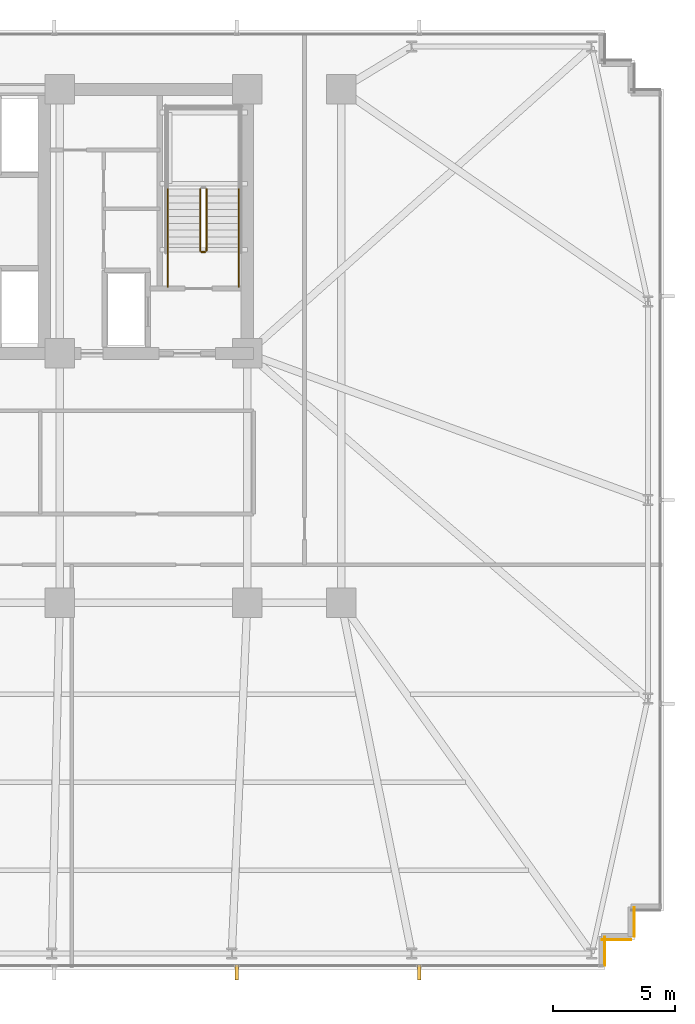
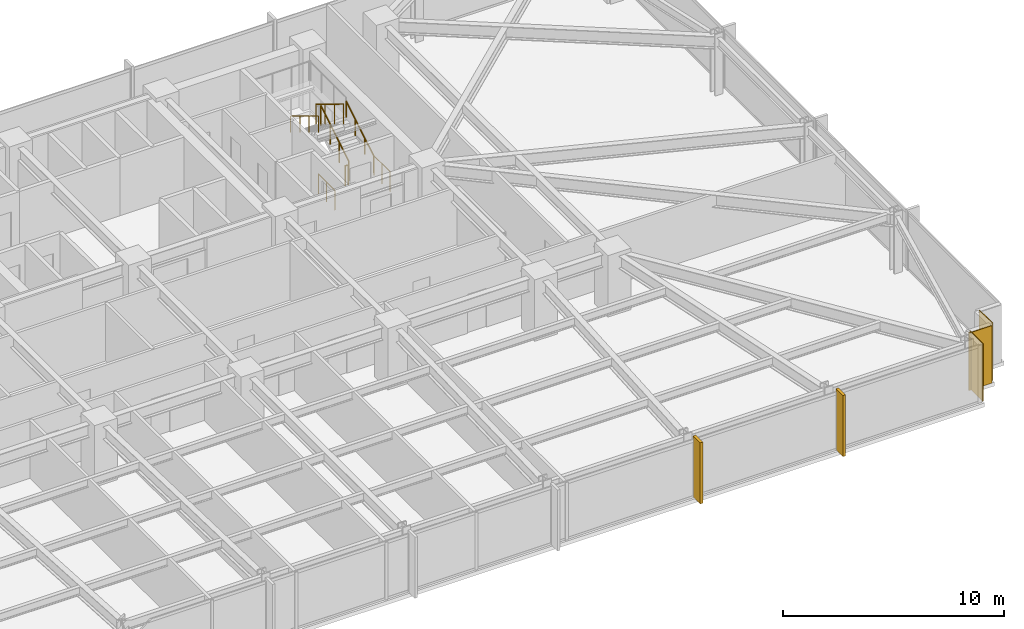
# One storey, part 29 of 32: 7 railings, 3 coverings, 2 shading devices.
"""IFC4 building model written with IfcOpenShell, lengths in metres."""

from ifc_helpers import new_model, si_unit, direction, frame, frame_2d, origin, origin_2d, place, context, subcontext, project, spatial, rectangle, circle, extrude, material, layer, layer_set, type_object, element, save


model = new_model("IFC4")

# Units and contexts
model_context = context("Model", 3, precision=1e-05, world=origin(), true_north=direction((0.0, 1.0)))
body_context = subcontext(model_context, "Body", "Model", "MODEL_VIEW")
ifc_project = project(units=[si_unit("LENGTHUNIT", "METRE"), si_unit("AREAUNIT", "SQUARE_METRE"), si_unit("VOLUMEUNIT", "CUBIC_METRE"), si_unit("PLANEANGLEUNIT", "RADIAN"), si_unit("MASSUNIT", "GRAM", prefix="KILO")], contexts=[model_context])

# Site, building, storey
site_placement = place(None, origin())
site = spatial("IfcSite", under=ifc_project, at=site_placement, CompositionType="ELEMENT")
building_placement = place(site_placement, origin())
building = spatial("IfcBuilding", under=site, at=building_placement, Name="Yelkora Congress Tower", CompositionType="ELEMENT")
storey_placement = place(building_placement, frame((0.0, 0.0, 61.0)))
storey = spatial("IfcBuildingStorey", under=building, at=storey_placement, Name="L15", CompositionType="ELEMENT", Elevation=61.0)

# Coverings
ifc_material_1 = material(Name="Anatolian bush-hammered limestone", Category="masonry")
ifc_layer_1 = layer(ifc_material_1, 0.0400390625)
ifc_layer_set_1 = layer_set([ifc_layer_1], Name="Anatolian bush-hammered limestone")
covering_type = type_object("IfcCoveringType", Name="COV-CLAD-SPANDREL-40", PredefinedType="CLADDING", material=ifc_layer_set_1)
for number, where, z_axis, x_axis, name in (
    (1, (69.594970703125, 12.739990234375, 0.0), (0.0, 0.0, 1.0), (0.0, -1.0, 0.0), "L15 Anatolian Limestone Cladding EW-L15-SR17"),
    (2, (69.4599609375, 11.405029296875, 0.0), (0.0, 0.0, 1.0), (-1.0, 0.0, 0.0), "L15 Anatolian Limestone Cladding EW-L15-SR18"),
    (3, (68.39501953125, 11.5400390625, 0.0), (0.0, 0.0, 1.0), (0.0, -1.0, 0.0), "L15 Anatolian Limestone Cladding EW-L15-SR19"),
):
    element("IfcCovering", number, at=place(storey_placement, frame(where, z_axis=z_axis, x_axis=x_axis)), inside=storey, type_object=covering_type, Name=name, PredefinedType="CLADDING", context=body_context, shape_type="SweptSolid", body=[
        extrude(rectangle(XDim=1.199951171875, YDim=0.0400390625, at=frame_2d((0.60009765625, 0.0))), origin(), (0.0, 0.0, 1.0), 3.179931640625),
    ])

# Railings
ifc_material_2 = material(Name="Painted galvanised steel stair well guard with vertical infill", Category="steel")
ifc_layer_2 = layer(ifc_material_2, 0.06005859375)
ifc_layer_set_2 = layer_set([ifc_layer_2], Name="Painted galvanised steel stair well guard with vertical infill")
railing_type_1 = type_object("IfcRailingType", Name="RAIL-STAIR-GUARD-1120", PredefinedType="GUARDRAIL", material=ifc_layer_set_2)
railing_1_placement = place(storey_placement, frame((52.090087890625, 39.60009765625, 0.169921875)))
element("IfcRailing", 4, at=railing_1_placement, inside=storey, type_object=railing_type_1, Name="ST-02 L15 Stair Well Guardrail 1", PredefinedType="GUARDRAIL", context=body_context, shape_type="SweptSolid", body=[
    extrude(circle(Radius=0.02392578125, at=origin_2d()), frame((0.0, 0.0, 1.09619140625), z_axis=(0.0, 0.85478489116, 0.518982456201), x_axis=(-1.0, 0.0, 0.0)), (0.0, 0.0, 1.0), 2.9482421875),
    extrude(circle(Radius=0.02099609375, at=origin_2d()), origin(), (0.0, 0.0, 1.0), 1.072021484375),
    extrude(circle(Radius=0.02099609375, at=origin_2d()), frame((0.0, 0.840087890625, 0.510009765625)), (0.0, 0.0, 1.0), 1.072021484375),
    extrude(circle(Radius=0.02099609375, at=origin_2d()), frame((0.0, 1.679931640625, 1.02001953125)), (0.0, 0.0, 1.0), 1.072021484375),
    extrude(circle(Radius=0.02099609375, at=origin_2d()), frame((0.0, 2.52001953125, 1.530029296875)), (0.0, 0.0, 1.0), 1.072021484375),
])
railing_2_placement = place(storey_placement, frame((51.830078125, 42.1201171875, 1.8701171875)))
element("IfcRailing", 5, at=railing_2_placement, inside=storey, type_object=railing_type_1, Name="ST-02 L15 Stair Well Guardrail 6", PredefinedType="GUARDRAIL", context=body_context, shape_type="SweptSolid", body=[
    extrude(circle(Radius=0.02392578125, at=origin_2d()), frame((0.0, 0.0, 1.09619140625), z_axis=(0.0, -0.854821627497, 0.518921945155), x_axis=(1.0, 0.0, 0.0)), (0.0, 0.0, 1.0), 2.947998046875),
    extrude(circle(Radius=0.02099609375, at=origin_2d()), origin(), (0.0, 0.0, 1.0), 1.072021484375),
    extrude(circle(Radius=0.02099609375, at=origin_2d()), frame((0.0, -0.840087890625, 0.510009765625)), (0.0, 0.0, 1.0), 1.072021484375),
    extrude(circle(Radius=0.02099609375, at=origin_2d()), frame((0.0, -1.679931640625, 1.019775390625)), (0.0, 0.0, 1.0), 1.072021484375),
    extrude(circle(Radius=0.02099609375, at=origin_2d()), frame((0.0, -2.52001953125, 1.52978515625)), (0.0, 0.0, 1.0), 1.072021484375),
])
railing_3_placement = place(storey_placement, frame((52.0400390625, 39.550048828125, 0.0)))
element("IfcRailing", 6, at=railing_3_placement, inside=storey, type_object=railing_type_1, Name="ST-02 L15 Stair Well Guardrail 7", PredefinedType="GUARDRAIL", context=body_context, shape_type="SweptSolid", body=[
    extrude(circle(Radius=0.02392578125, at=origin_2d()), frame((0.0, 0.0, 1.09619140625), z_axis=(-1.0, 0.0, 0.0), x_axis=(0.0, -1.0, 0.0)), (0.0, 0.0, 1.0), 0.16015625),
    extrude(circle(Radius=0.02099609375, at=origin_2d()), origin(), (0.0, 0.0, 1.0), 1.072021484375),
    extrude(circle(Radius=0.02099609375, at=origin_2d()), frame((-0.16015625, 0.0, 0.0)), (0.0, 0.0, 1.0), 1.072021484375),
])
for number, where, name in (
    (7, (53.409912109375, 38.1201171875, 0.0), "ST-02 L15 Stair Well Guardrail 8"),
    (8, (50.510009765625, 38.1201171875, 0.0), "ST-02 L15 Stair Well Guardrail 9"),
):
    element("IfcRailing", number, at=place(storey_placement, frame(where)), inside=storey, type_object=railing_type_1, Name=name, PredefinedType="GUARDRAIL", context=body_context, shape_type="SweptSolid", body=[
        extrude(circle(Radius=0.02392578125, at=origin_2d()), frame((0.0, 0.0, 1.09619140625), z_axis=(0.0, 1.0, 0.0), x_axis=(-1.0, 0.0, 0.0)), (0.0, 0.0, 1.0), 1.47998046875),
        extrude(circle(Radius=0.02099609375, at=origin_2d()), origin(), (0.0, 0.0, 1.0), 1.072021484375),
        extrude(circle(Radius=0.02099609375, at=origin_2d()), frame((0.0, 0.739990234375, 0.0)), (0.0, 0.0, 1.0), 1.072021484375),
        extrude(circle(Radius=0.02099609375, at=origin_2d()), frame((0.0, 1.47998046875, 0.0)), (0.0, 0.0, 1.0), 1.072021484375),
    ])
ifc_material_3 = material(Name="Brushed stainless steel tubular handrail", Category="steel")
ifc_layer_3 = layer(ifc_material_3, 0.050048828125)
ifc_layer_set_3 = layer_set([ifc_layer_3], Name="Brushed stainless steel tubular handrail")
railing_type_2 = type_object("IfcRailingType", Name="RAIL-STAIR-HAND-920", PredefinedType="HANDRAIL", material=ifc_layer_set_3)
railing_4_placement = place(storey_placement, frame((53.409912109375, 39.60009765625, 0.169921875)))
element("IfcRailing", 9, at=railing_4_placement, inside=storey, type_object=railing_type_2, Name="ST-02 L15 Pitch Handrail 1", PredefinedType="HANDRAIL", context=body_context, shape_type="SweptSolid", body=[
    extrude(circle(Radius=0.02392578125, at=origin_2d()), frame((0.0, 0.0, 0.89599609375), z_axis=(0.0, 0.85478489116, 0.518982456201), x_axis=(-1.0, 0.0, 0.0)), (0.0, 0.0, 1.0), 2.9482421875),
    extrude(circle(Radius=0.02099609375, at=origin_2d()), origin(), (0.0, 0.0, 1.0), 0.871826171875),
    extrude(circle(Radius=0.02099609375, at=origin_2d()), frame((0.0, 0.840087890625, 0.510009765625)), (0.0, 0.0, 1.0), 0.871826171875),
    extrude(circle(Radius=0.02099609375, at=origin_2d()), frame((0.0, 1.679931640625, 1.02001953125)), (0.0, 0.0, 1.0), 0.871826171875),
    extrude(circle(Radius=0.02099609375, at=origin_2d()), frame((0.0, 2.52001953125, 1.530029296875)), (0.0, 0.0, 1.0), 0.871826171875),
])
railing_5_placement = place(storey_placement, frame((50.510009765625, 42.1201171875, 1.8701171875)))
element("IfcRailing", 10, at=railing_5_placement, inside=storey, type_object=railing_type_2, Name="ST-02 L15 Pitch Handrail 2", PredefinedType="HANDRAIL", context=body_context, shape_type="SweptSolid", body=[
    extrude(circle(Radius=0.02392578125, at=origin_2d()), frame((0.0, 0.0, 0.89599609375), z_axis=(0.0, -0.854821627497, 0.518921945155), x_axis=(1.0, 0.0, 0.0)), (0.0, 0.0, 1.0), 2.947998046875),
    extrude(circle(Radius=0.02099609375, at=origin_2d()), origin(), (0.0, 0.0, 1.0), 0.871826171875),
    extrude(circle(Radius=0.02099609375, at=origin_2d()), frame((0.0, -0.840087890625, 0.510009765625)), (0.0, 0.0, 1.0), 0.871826171875),
    extrude(circle(Radius=0.02099609375, at=origin_2d()), frame((0.0, -1.679931640625, 1.019775390625)), (0.0, 0.0, 1.0), 0.871826171875),
    extrude(circle(Radius=0.02099609375, at=origin_2d()), frame((0.0, -2.52001953125, 1.52978515625)), (0.0, 0.0, 1.0), 0.871826171875),
])

# Shading devices
ifc_material_4 = material(Name="Champagne anodised aluminium", Category="aluminium")
ifc_layer_4 = layer(ifc_material_4, 3.39990234375)
ifc_layer_set_4 = layer_set([ifc_layer_4], Name="Champagne anodised aluminium")
shading_device_type = type_object("IfcShadingDeviceType", Name="SHD-FIN-ALU-640", PredefinedType="USERDEFINED", material=ifc_layer_set_4)
for number, where, z_axis, x_axis, name in (
    (11, (60.794921875, 10.080078125, -0.030029296875), (0.0, 0.0, 1.0), (-1.0, 0.0, 0.0), "L15 Vertical Anodised Solar Fin 20-1"),
    (12, (53.330078125, 10.080078125, -0.030029296875), (0.0, 0.0, 1.0), (-1.0, 0.0, 0.0), "L15 Vertical Anodised Solar Fin 20-2"),
):
    element("IfcShadingDevice", number, at=place(storey_placement, frame(where, z_axis=z_axis, x_axis=x_axis)), inside=storey, type_object=shading_device_type, Name=name, ObjectType="FIN", PredefinedType="USERDEFINED", context=body_context, shape_type="SweptSolid", body=[
        extrude(rectangle(XDim=0.139892578125, YDim=0.639892578125, at=origin_2d()), origin(), (0.0, 0.0, 1.0), 3.3798828125),
    ])

save(model, "model.ifc")
